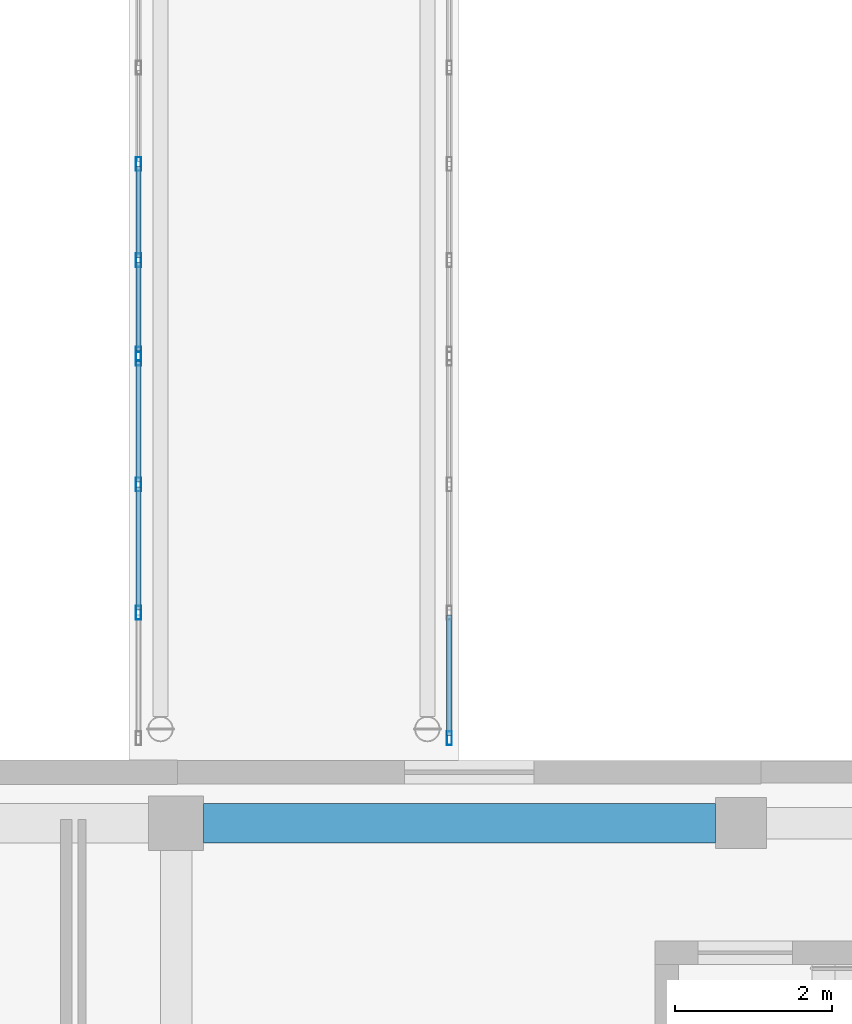
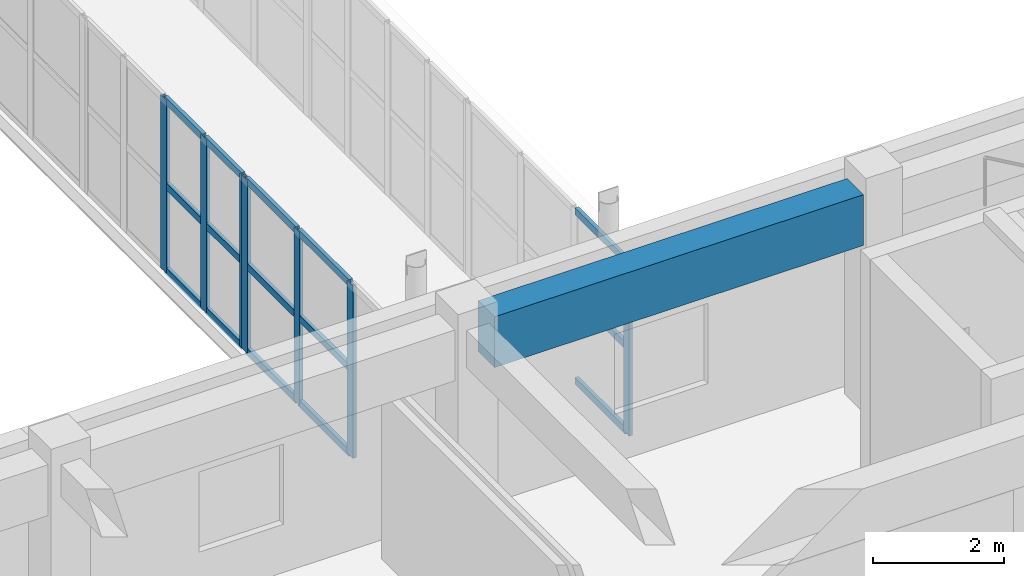
# One storey, part 20 of 142: 22 members, 1 beam, 3 elements without a shape of their own.
"""IFC4 building model written with IfcOpenShell, lengths in metres."""

from ifc_helpers import new_model, si_unit, direction, frame, origin, origin_2d, place, context, subcontext, project, spatial, rectangle, hollow_rectangle, extrude, material, layer, layer_set, material_profile, profile_set, type_object, element, aggregate, save


model = new_model("IFC4")

# Units and contexts
model_context = context("Model", 3, precision=1e-05, world=origin(), true_north=direction((0.0, 1.0)))
body_context = subcontext(model_context, "Body", "Model", "MODEL_VIEW")
ifc_project = project(units=[si_unit("LENGTHUNIT", "METRE"), si_unit("AREAUNIT", "SQUARE_METRE"), si_unit("VOLUMEUNIT", "CUBIC_METRE"), si_unit("PLANEANGLEUNIT", "RADIAN"), si_unit("MASSUNIT", "GRAM", prefix="KILO")], contexts=[model_context])

# Site, building, storey
site_placement = place(None, origin())
site = spatial("IfcSite", under=ifc_project, at=site_placement, CompositionType="ELEMENT")
building_placement = place(site_placement, origin())
building = spatial("IfcBuilding", under=site, at=building_placement, Name="Valcora Specialist Clinic", CompositionType="ELEMENT")
storey_placement = place(building_placement, frame((0.0, 0.0, 5.10009765625)))
storey = spatial("IfcBuildingStorey", under=building, at=storey_placement, Name="L01", CompositionType="ELEMENT", Elevation=5.10009765625)

# Beam
ifc_material_1 = material(Name="Concrete C40/50", Category="concrete")
ifc_material_profile_1 = material_profile(ifc_material_1, rectangle(XDim=0.5, YDim=0.949951171875, at=origin_2d()), Name="RC-BM-500X950")
ifc_profile_set_1 = profile_set([ifc_material_profile_1], Name="Concrete C40/50")
beam_type = type_object("IfcBeamType", Name="TY-BM-TR500X950", PredefinedType="BEAM", material=ifc_profile_set_1)
beam_placement = place(storey_placement, frame((23.75, 22.0, 3.599853515625), z_axis=(1.0, 0.0, 0.0), x_axis=(0.0, 1.0, 0.0)))
element("IfcBeam", 1, at=beam_placement, inside=storey, type_object=beam_type, Name="Beam BM-L01-0956", PredefinedType="BEAM", context=body_context, shape_type="SweptSolid", body=[
    extrude(rectangle(XDim=0.5, YDim=0.949951171875, at=origin_2d()), origin(), (0.0, 0.0, 1.0), 6.52490234375),
])

# Curtain wall, members
ifc_material_2 = material(Name="Anodized Bronze Aluminium 6063-T6", Category="aluminium")
ifc_layer = layer(ifc_material_2, 0.175048828125)
ifc_layer_set = layer_set([ifc_layer], Name="Anodized Bronze Aluminium 6063-T6")
curtain_wall_type = type_object("IfcCurtainWallType", Name="TY-CW-BRG14", PredefinedType="NOTDEFINED", material=ifc_layer_set)
curtain_wall_1_placement = place(storey_placement, origin())
curtain_wall_1 = element("IfcCurtainWall", 2, at=curtain_wall_1_placement, inside=storey, type_object=curtain_wall_type, Name="Curtain wall CW-L01-225", PredefinedType="NOTDEFINED")
ifc_material_profile_2 = material_profile(ifc_material_2, hollow_rectangle(XDim=0.06494140625, YDim=0.175048828125, WallThickness=0.00390625, at=origin_2d()), Name="AL-MUL-65X175")
ifc_profile_set_2 = profile_set([ifc_material_profile_2], Name="Anodized Bronze Aluminium 6063-T6")
member_type_1 = type_object("IfcMemberType", Name="TY-CWM-65X175", PredefinedType="MULLION", material=ifc_profile_set_2)
member_1_placement = place(storey_placement, frame((22.919921875, 24.683349609375, 0.0), z_axis=(0.0, 0.0, 1.0), x_axis=(-1.0, 0.0, 0.0)))
member_1 = element("IfcMember", 3, at=member_1_placement, type_object=member_type_1, Name="CW-BRG-14 mullion 2", PredefinedType="MULLION", context=body_context, shape_type="SweptSolid", body=[
    extrude(hollow_rectangle(XDim=0.06494140625, YDim=0.175048828125, WallThickness=0.00390625, at=origin_2d()), origin(), (0.0, 0.0, 1.0), 3.239990234375),
])
member_2_placement = place(storey_placement, frame((22.919921875, 26.316650390625, 0.0), z_axis=(0.0, 0.0, 1.0), x_axis=(-1.0, 0.0, 0.0)))
member_2 = element("IfcMember", 4, at=member_2_placement, type_object=member_type_1, Name="CW-BRG-14 mullion 3", PredefinedType="MULLION", context=body_context, shape_type="SweptSolid", body=[
    extrude(hollow_rectangle(XDim=0.06494140625, YDim=0.175048828125, WallThickness=0.00390625, at=origin_2d()), origin(), (0.0, 0.0, 1.0), 3.239990234375),
])
member_3_placement = place(storey_placement, frame((22.919921875, 27.91748046875, 0.0), z_axis=(0.0, 0.0, 1.0), x_axis=(-1.0, 0.0, 0.0)))
member_3 = element("IfcMember", 5, at=member_3_placement, type_object=member_type_1, Name="CW-BRG-14 mullion 4", PredefinedType="MULLION", context=body_context, shape_type="SweptSolid", body=[
    extrude(hollow_rectangle(XDim=0.06494140625, YDim=0.175048828125, WallThickness=0.00390625, at=origin_2d()), origin(), (0.0, 0.0, 1.0), 3.239990234375),
])

curtain_wall_2_placement = place(storey_placement, origin())
curtain_wall_2 = element("IfcCurtainWall", 6, at=curtain_wall_2_placement, inside=storey, type_object=curtain_wall_type, Name="Curtain wall CW-L01-226", PredefinedType="NOTDEFINED")
member_4_placement = place(storey_placement, frame((22.919921875, 27.982421875, 0.0), z_axis=(0.0, 0.0, 1.0), x_axis=(-1.0, 0.0, 0.0)))
member_4 = element("IfcMember", 7, at=member_4_placement, type_object=member_type_1, Name="CW-BRG-14 mullion 1", PredefinedType="MULLION", context=body_context, shape_type="SweptSolid", body=[
    extrude(hollow_rectangle(XDim=0.06494140625, YDim=0.175048828125, WallThickness=0.00390625, at=origin_2d()), origin(), (0.0, 0.0, 1.0), 3.239990234375),
])
member_5_placement = place(storey_placement, frame((22.919921875, 29.175048828125, 0.0), z_axis=(0.0, 0.0, 1.0), x_axis=(-1.0, 0.0, 0.0)))
member_5 = element("IfcMember", 8, at=member_5_placement, type_object=member_type_1, Name="CW-BRG-14 mullion 2", PredefinedType="MULLION", context=body_context, shape_type="SweptSolid", body=[
    extrude(hollow_rectangle(XDim=0.06494140625, YDim=0.175048828125, WallThickness=0.00390625, at=origin_2d()), origin(), (0.0, 0.0, 1.0), 3.239990234375),
])
member_6_placement = place(storey_placement, frame((22.919921875, 30.39990234375, 0.0), z_axis=(0.0, 0.0, 1.0), x_axis=(-1.0, 0.0, 0.0)))
member_6 = element("IfcMember", 9, at=member_6_placement, type_object=member_type_1, Name="CW-BRG-14 mullion 3", PredefinedType="MULLION", context=body_context, shape_type="SweptSolid", body=[
    extrude(hollow_rectangle(XDim=0.06494140625, YDim=0.175048828125, WallThickness=0.00390625, at=origin_2d()), origin(), (0.0, 0.0, 1.0), 3.239990234375),
])

# Curtain wall, member
curtain_wall_3_placement = place(storey_placement, origin())
curtain_wall_3 = element("IfcCurtainWall", 10, at=curtain_wall_3_placement, inside=storey, type_object=curtain_wall_type, Name="Curtain wall CW-L01-228", PredefinedType="NOTDEFINED")
member_7_placement = place(storey_placement, frame((26.8798828125, 23.08251953125, 0.0), z_axis=(0.0, 0.0, 1.0), x_axis=(-1.0, 0.0, 0.0)))
member_7 = element("IfcMember", 11, at=member_7_placement, type_object=member_type_1, Name="CW-BRG-14 mullion 1", PredefinedType="MULLION", context=body_context, shape_type="SweptSolid", body=[
    extrude(hollow_rectangle(XDim=0.06494140625, YDim=0.175048828125, WallThickness=0.00390625, at=origin_2d()), origin(), (0.0, 0.0, 1.0), 3.239990234375),
])

# Member
ifc_material_profile_3 = material_profile(ifc_material_2, hollow_rectangle(XDim=0.06494140625, YDim=0.1298828125, WallThickness=0.00390625, at=origin_2d()), Name="AL-TRN-65X130")
ifc_profile_set_3 = profile_set([ifc_material_profile_3], Name="Anodized Bronze Aluminium 6063-T6")
member_type_2 = type_object("IfcMemberType", Name="TY-CWT-65X130", PredefinedType="USERDEFINED", material=ifc_profile_set_3)
member_8_placement = place(storey_placement, frame((22.919921875, 24.7158203125, 0.032470703125), z_axis=(0.0, 1.0, 0.0), x_axis=(-1.0, 0.0, 0.0)))
member_8 = element("IfcMember", 12, at=member_8_placement, type_object=member_type_2, Name="CW-BRG-14 transom 2.1", ObjectType="TRANSOM", PredefinedType="USERDEFINED", context=body_context, shape_type="SweptSolid", body=[
    extrude(hollow_rectangle(XDim=0.06494140625, YDim=0.1298828125, WallThickness=0.00390625, at=origin_2d()), origin(), (0.0, 0.0, 1.0), 1.568359375),
])

member_9_placement = place(storey_placement, frame((22.919921875, 24.7158203125, 1.619873046875), z_axis=(0.0, 1.0, 0.0), x_axis=(-1.0, 0.0, 0.0)))
member_9 = element("IfcMember", 13, at=member_9_placement, type_object=member_type_2, Name="CW-BRG-14 transom 2.2", ObjectType="TRANSOM", PredefinedType="USERDEFINED", context=body_context, shape_type="SweptSolid", body=[
    extrude(hollow_rectangle(XDim=0.06494140625, YDim=0.1298828125, WallThickness=0.00390625, at=origin_2d()), origin(), (0.0, 0.0, 1.0), 1.568359375),
])

member_10_placement = place(storey_placement, frame((22.919921875, 24.7158203125, 3.20751953125), z_axis=(0.0, 1.0, 0.0), x_axis=(-1.0, 0.0, 0.0)))
member_10 = element("IfcMember", 14, at=member_10_placement, type_object=member_type_2, Name="CW-BRG-14 transom 2.3", ObjectType="TRANSOM", PredefinedType="USERDEFINED", context=body_context, shape_type="SweptSolid", body=[
    extrude(hollow_rectangle(XDim=0.06494140625, YDim=0.1298828125, WallThickness=0.00390625, at=origin_2d()), origin(), (0.0, 0.0, 1.0), 1.568359375),
])

member_11_placement = place(storey_placement, frame((22.919921875, 26.34912109375, 0.032470703125), z_axis=(0.0, 1.0, 0.0), x_axis=(-1.0, 0.0, 0.0)))
member_11 = element("IfcMember", 15, at=member_11_placement, type_object=member_type_2, Name="CW-BRG-14 transom 3.1", ObjectType="TRANSOM", PredefinedType="USERDEFINED", context=body_context, shape_type="SweptSolid", body=[
    extrude(hollow_rectangle(XDim=0.06494140625, YDim=0.1298828125, WallThickness=0.00390625, at=origin_2d()), origin(), (0.0, 0.0, 1.0), 1.535888671875),
])

member_12_placement = place(storey_placement, frame((22.919921875, 26.34912109375, 1.619873046875), z_axis=(0.0, 1.0, 0.0), x_axis=(-1.0, 0.0, 0.0)))
member_12 = element("IfcMember", 16, at=member_12_placement, type_object=member_type_2, Name="CW-BRG-14 transom 3.2", ObjectType="TRANSOM", PredefinedType="USERDEFINED", context=body_context, shape_type="SweptSolid", body=[
    extrude(hollow_rectangle(XDim=0.06494140625, YDim=0.1298828125, WallThickness=0.00390625, at=origin_2d()), origin(), (0.0, 0.0, 1.0), 1.535888671875),
])

member_13_placement = place(storey_placement, frame((22.919921875, 26.34912109375, 3.20751953125), z_axis=(0.0, 1.0, 0.0), x_axis=(-1.0, 0.0, 0.0)))
member_13 = element("IfcMember", 17, at=member_13_placement, type_object=member_type_2, Name="CW-BRG-14 transom 3.3", ObjectType="TRANSOM", PredefinedType="USERDEFINED", context=body_context, shape_type="SweptSolid", body=[
    extrude(hollow_rectangle(XDim=0.06494140625, YDim=0.1298828125, WallThickness=0.00390625, at=origin_2d()), origin(), (0.0, 0.0, 1.0), 1.535888671875),
])

aggregate(curtain_wall_1, [member_1, member_2, member_3, member_8, member_9, member_10, member_11, member_12, member_13])

member_14_placement = place(storey_placement, frame((22.919921875, 28.014892578125, 0.032470703125), z_axis=(0.0, 1.0, 0.0), x_axis=(-1.0, 0.0, 0.0)))
member_14 = element("IfcMember", 18, at=member_14_placement, type_object=member_type_2, Name="CW-BRG-14 transom 1.1", ObjectType="TRANSOM", PredefinedType="USERDEFINED", context=body_context, shape_type="SweptSolid", body=[
    extrude(hollow_rectangle(XDim=0.06494140625, YDim=0.1298828125, WallThickness=0.00390625, at=origin_2d()), origin(), (0.0, 0.0, 1.0), 1.127685546875),
])

member_15_placement = place(storey_placement, frame((22.919921875, 28.014892578125, 1.619873046875), z_axis=(0.0, 1.0, 0.0), x_axis=(-1.0, 0.0, 0.0)))
member_15 = element("IfcMember", 19, at=member_15_placement, type_object=member_type_2, Name="CW-BRG-14 transom 1.2", ObjectType="TRANSOM", PredefinedType="USERDEFINED", context=body_context, shape_type="SweptSolid", body=[
    extrude(hollow_rectangle(XDim=0.06494140625, YDim=0.1298828125, WallThickness=0.00390625, at=origin_2d()), origin(), (0.0, 0.0, 1.0), 1.127685546875),
])

member_16_placement = place(storey_placement, frame((22.919921875, 28.014892578125, 3.20751953125), z_axis=(0.0, 1.0, 0.0), x_axis=(-1.0, 0.0, 0.0)))
member_16 = element("IfcMember", 20, at=member_16_placement, type_object=member_type_2, Name="CW-BRG-14 transom 1.3", ObjectType="TRANSOM", PredefinedType="USERDEFINED", context=body_context, shape_type="SweptSolid", body=[
    extrude(hollow_rectangle(XDim=0.06494140625, YDim=0.1298828125, WallThickness=0.00390625, at=origin_2d()), origin(), (0.0, 0.0, 1.0), 1.127685546875),
])

member_17_placement = place(storey_placement, frame((22.919921875, 29.20751953125, 0.032470703125), z_axis=(0.0, 1.0, 0.0), x_axis=(-1.0, 0.0, 0.0)))
member_17 = element("IfcMember", 21, at=member_17_placement, type_object=member_type_2, Name="CW-BRG-14 transom 2.1", ObjectType="TRANSOM", PredefinedType="USERDEFINED", context=body_context, shape_type="SweptSolid", body=[
    extrude(hollow_rectangle(XDim=0.06494140625, YDim=0.1298828125, WallThickness=0.00390625, at=origin_2d()), origin(), (0.0, 0.0, 1.0), 1.159912109375),
])

member_18_placement = place(storey_placement, frame((22.919921875, 29.20751953125, 1.619873046875), z_axis=(0.0, 1.0, 0.0), x_axis=(-1.0, 0.0, 0.0)))
member_18 = element("IfcMember", 22, at=member_18_placement, type_object=member_type_2, Name="CW-BRG-14 transom 2.2", ObjectType="TRANSOM", PredefinedType="USERDEFINED", context=body_context, shape_type="SweptSolid", body=[
    extrude(hollow_rectangle(XDim=0.06494140625, YDim=0.1298828125, WallThickness=0.00390625, at=origin_2d()), origin(), (0.0, 0.0, 1.0), 1.159912109375),
])

member_19_placement = place(storey_placement, frame((22.919921875, 29.20751953125, 3.20751953125), z_axis=(0.0, 1.0, 0.0), x_axis=(-1.0, 0.0, 0.0)))
member_19 = element("IfcMember", 23, at=member_19_placement, type_object=member_type_2, Name="CW-BRG-14 transom 2.3", ObjectType="TRANSOM", PredefinedType="USERDEFINED", context=body_context, shape_type="SweptSolid", body=[
    extrude(hollow_rectangle(XDim=0.06494140625, YDim=0.1298828125, WallThickness=0.00390625, at=origin_2d()), origin(), (0.0, 0.0, 1.0), 1.159912109375),
])

aggregate(curtain_wall_2, [member_4, member_5, member_6, member_14, member_15, member_16, member_17, member_18, member_19])

member_20_placement = place(storey_placement, frame((26.8798828125, 23.114990234375, 0.032470703125), z_axis=(0.0, 1.0, 0.0), x_axis=(-1.0, 0.0, 0.0)))
member_20 = element("IfcMember", 24, at=member_20_placement, type_object=member_type_2, Name="CW-BRG-14 transom 1.1", ObjectType="TRANSOM", PredefinedType="USERDEFINED", context=body_context, shape_type="SweptSolid", body=[
    extrude(hollow_rectangle(XDim=0.06494140625, YDim=0.1298828125, WallThickness=0.00390625, at=origin_2d()), origin(), (0.0, 0.0, 1.0), 1.535888671875),
])

member_21_placement = place(storey_placement, frame((26.8798828125, 23.114990234375, 1.619873046875), z_axis=(0.0, 1.0, 0.0), x_axis=(-1.0, 0.0, 0.0)))
member_21 = element("IfcMember", 25, at=member_21_placement, type_object=member_type_2, Name="CW-BRG-14 transom 1.2", ObjectType="TRANSOM", PredefinedType="USERDEFINED", context=body_context, shape_type="SweptSolid", body=[
    extrude(hollow_rectangle(XDim=0.06494140625, YDim=0.1298828125, WallThickness=0.00390625, at=origin_2d()), origin(), (0.0, 0.0, 1.0), 1.535888671875),
])

member_22_placement = place(storey_placement, frame((26.8798828125, 23.114990234375, 3.20751953125), z_axis=(0.0, 1.0, 0.0), x_axis=(-1.0, 0.0, 0.0)))
member_22 = element("IfcMember", 26, at=member_22_placement, type_object=member_type_2, Name="CW-BRG-14 transom 1.3", ObjectType="TRANSOM", PredefinedType="USERDEFINED", context=body_context, shape_type="SweptSolid", body=[
    extrude(hollow_rectangle(XDim=0.06494140625, YDim=0.1298828125, WallThickness=0.00390625, at=origin_2d()), origin(), (0.0, 0.0, 1.0), 1.535888671875),
])

aggregate(curtain_wall_3, [member_7, member_20, member_21, member_22])

save(model, "model.ifc")
